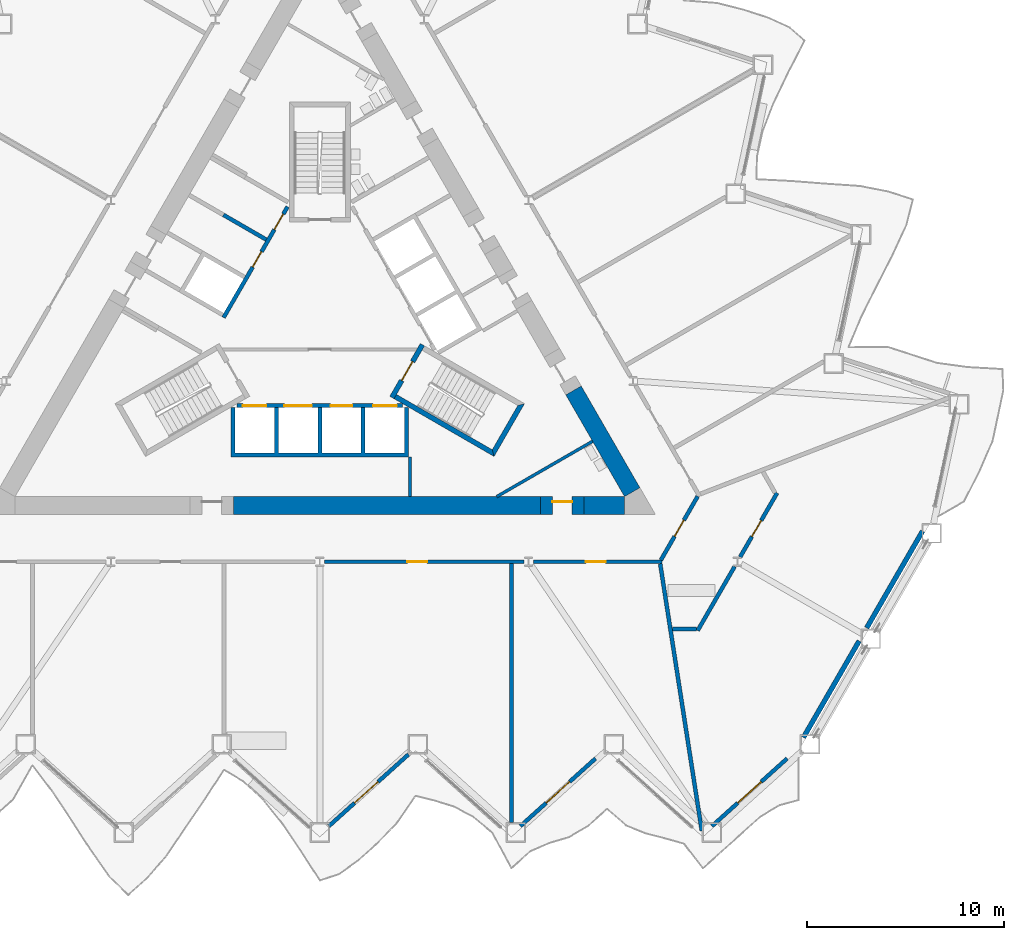
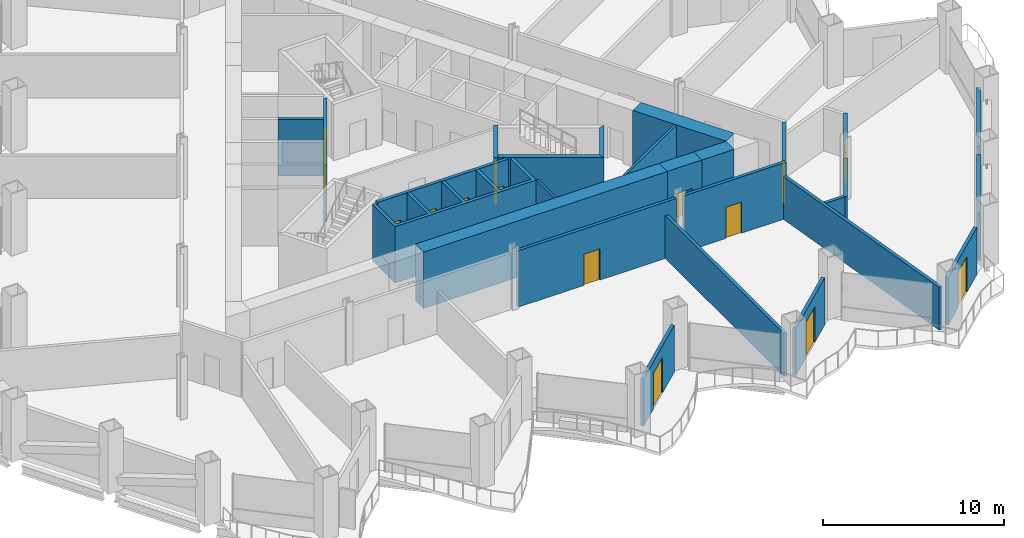
# One storey, part 10 of 21: 26 walls, 15 doors, 15 openings.
"""IFC4 building model written with IfcOpenShell, lengths in metres."""

from ifc_helpers import new_model, si_unit, direction, frame, frame_2d, origin, place, context, subcontext, project, spatial, polyline, rectangle, outline, extrude, material, layer, layer_set, type_object, element, fill, save


model = new_model("IFC4")

# Units and contexts
model_context = context("Model", 3, precision=1e-05, world=origin(), true_north=direction((0.0, 1.0)))
body_context = subcontext(model_context, "Body", "Model", "MODEL_VIEW")
ifc_project = project(units=[si_unit("LENGTHUNIT", "METRE"), si_unit("AREAUNIT", "SQUARE_METRE"), si_unit("VOLUMEUNIT", "CUBIC_METRE"), si_unit("PLANEANGLEUNIT", "RADIAN"), si_unit("MASSUNIT", "GRAM", prefix="KILO")], contexts=[model_context])

# Site, building, storey
site_placement = place(None, origin())
site = spatial("IfcSite", under=ifc_project, at=site_placement, CompositionType="ELEMENT")
building_placement = place(site_placement, origin())
building = spatial("IfcBuilding", under=site, at=building_placement, Name="Cormorant Prow Tower", CompositionType="ELEMENT")
storey_placement = place(building_placement, frame((0.0, 0.0, 46.800048828125)))
storey = spatial("IfcBuildingStorey", under=building, at=storey_placement, Name="L09", CompositionType="ELEMENT", Elevation=46.800048828125)

# Walls
ifc_material_1 = material(Name="Gypsum board partition")
ifc_layer_1 = layer(ifc_material_1, 0.14990234375)
ifc_layer_set_1 = layer_set([ifc_layer_1], Name="Gypsum board partition")
wall_type_1 = type_object("IfcWallType", Name="Core partition 150", PredefinedType="PARTITIONING", material=ifc_layer_set_1)
wall_1_placement = place(storey_placement, frame((4.574951171875, -6.906005859375, 0.0), z_axis=(0.0, 0.0, 1.0), x_axis=(0.0, -1.0, 0.0)))
element("IfcWall", 1, at=wall_1_placement, inside=storey, type_object=wall_type_1, Name="Service room partition", PredefinedType="PARTITIONING", context=body_context, shape_type="SweptSolid", body=[
    extrude(rectangle(XDim=2.009033203125, YDim=0.14990234375, at=frame_2d((1.00439453125, 0.0))), origin(), (0.0, 0.0, 1.0), 3.800048828125),
])
wall_2_placement = place(storey_placement, frame((13.822509765625, -6.111328125, 0.0), z_axis=(0.0, 0.0, 1.0), x_axis=(-0.866026802741, -0.499997576928, 0.0)))
element("IfcWall", 2, at=wall_2_placement, inside=storey, type_object=wall_type_1, Name="Service room partition", PredefinedType="PARTITIONING", context=body_context, shape_type="SweptSolid", body=[
    extrude(rectangle(XDim=5.607421875, YDim=0.14990234375, at=frame_2d((2.8037109375, 0.0))), origin(), (0.0, 0.0, 1.0), 3.800048828125),
])
ifc_material_2 = material(Name="Concrete 8000 psi", Category="concrete")
ifc_layer_2 = layer(ifc_material_2, 0.89990234375)
ifc_layer_set_2 = layer_set([ifc_layer_2], Name="Concrete 8000 psi")
wall_type_2 = type_object("IfcWallType", Name="Core shear wall 900", PredefinedType="SHEAR", material=ifc_layer_set_2)
wall_3_placement = place(storey_placement, frame((-4.37060546875, -9.364990234375, 0.0), z_axis=(0.0, 0.0, 1.0), x_axis=(1.0, 0.0, 0.0)))
element("IfcWall", 3, at=wall_3_placement, inside=storey, type_object=wall_type_2, Name="Core wall", PredefinedType="SHEAR", context=body_context, shape_type="SweptSolid", body=[
    extrude(rectangle(XDim=15.549560546875, YDim=0.89990234375, at=frame_2d((7.77490234375, 0.0))), origin(), (0.0, 0.0, 1.0), 3.800048828125),
])
wall_4_placement = place(storey_placement, frame((13.37890625, -9.364990234375, 0.0), z_axis=(0.0, 0.0, 1.0), x_axis=(1.0, 0.0, 0.0)))
element("IfcWall", 4, at=wall_4_placement, inside=storey, type_object=wall_type_2, Name="Core wall", PredefinedType="SHEAR", context=body_context, shape_type="SweptSolid", body=[
    extrude(rectangle(XDim=2.062255859375, YDim=0.89990234375, at=frame_2d((1.03125, 0.0))), origin(), (0.0, 0.0, 1.0), 3.800048828125),
])
wall_5_placement = place(storey_placement, frame((15.830810546875, -8.68994140625, 0.0), z_axis=(0.0, 0.0, 1.0), x_axis=(-0.499999419053, 0.866025739194, 0.0)))
element("IfcWall", 5, at=wall_5_placement, inside=storey, type_object=wall_type_2, Name="Core wall", PredefinedType="SHEAR", context=body_context, shape_type="SweptSolid", body=[
    extrude(rectangle(XDim=5.95166015625, YDim=0.89990234375, at=frame_2d((2.975830078125, 0.0))), origin(), (0.0, 0.0, 1.0), 3.800048828125),
])

# Wall, opening, door
wall_6_placement = place(storey_placement, frame((11.178955078125, -9.364990234375, 0.0), z_axis=(0.0, 0.0, 1.0), x_axis=(1.0, 0.0, 0.0)))
wall_6 = element("IfcWall", 6, at=wall_6_placement, inside=storey, type_object=wall_type_2, Name="Core wall door panel", PredefinedType="SHEAR", context=body_context, shape_type="SweptSolid", body=[
    extrude(rectangle(XDim=2.199951171875, YDim=0.89990234375, at=frame_2d((1.10009765625, 0.0))), origin(), (0.0, 0.0, 1.0), 3.800048828125),
])
opening_1_placement = place(wall_6_placement, frame((0.60009765625, 0.0, 0.0)))
opening_1 = element("IfcOpeningElement", 7, at=opening_1_placement, cuts=wall_6, Name="Opening L09-C15", PredefinedType="OPENING", context=body_context, shape_type="SweptSolid", body=[
    extrude(rectangle(XDim=1.0, YDim=2.10009765625, at=frame_2d((0.5, 1.050048828125))), frame((0.0, 0.4599609375, 0.0), z_axis=(0.0, -1.0, 0.0), x_axis=(1.0, 0.0, 0.0)), (0.0, 0.0, 1.0), 0.919921875),
])
ifc_material_3 = material(Name="Painted steel", Category="steel")
door_type_1 = type_object("IfcDoorType", Name="Service door 1000x2100", OperationType="NOTDEFINED", PredefinedType="DOOR", material=ifc_material_3)
door_1_placement = place(opening_1_placement, origin())
door_1 = element("IfcDoor", 8, at=door_1_placement, inside=storey, type_object=door_type_1, Name="Core door, Accessible WC L09", OperationType="SINGLE_SWING_RIGHT", OverallHeight=2.10009765625, OverallWidth=1.0, PredefinedType="DOOR", context=body_context, shape_type="SweptSolid", body=[
    extrude(rectangle(XDim=1.0, YDim=2.10009765625, at=frame_2d((0.5, 1.050048828125))), frame((0.0, 0.205078125, 0.0), z_axis=(0.0, -1.0, 0.0), x_axis=(1.0, 0.0, 0.0)), (0.0, 0.0, 1.0), 0.050048828125),
])
fill(opening_1, door_1)

ifc_material_4 = material(Name="Gypsum board corridor wall")
ifc_layer_3 = layer(ifc_material_4, 0.199951171875)
ifc_layer_set_3 = layer_set([ifc_layer_3], Name="Gypsum board corridor wall")
wall_type_3 = type_object("IfcWallType", Name="Corridor wall 200", PredefinedType="PARTITIONING", material=ifc_layer_set_3)
wall_7_placement = place(storey_placement, frame((0.2421875, -12.215087890625, 0.0), z_axis=(0.0, 0.0, 1.0), x_axis=(1.0, 0.0, 0.0)))
wall_7 = element("IfcWall", 9, at=wall_7_placement, inside=storey, type_object=wall_type_3, Name="Corridor wall", PredefinedType="PARTITIONING", context=body_context, shape_type="SweptSolid", body=[
    extrude(rectangle(XDim=10.093994140625, YDim=0.199951171875, at=frame_2d((5.046875, 0.0))), origin(), (0.0, 0.0, 1.0), 3.800048828125),
])
opening_2_placement = place(wall_7_placement, frame((4.193115234375, 0.0, 0.0)))
opening_2 = element("IfcOpeningElement", 10, at=opening_2_placement, cuts=wall_7, Name="Opening L09-F03", PredefinedType="OPENING", context=body_context, shape_type="SweptSolid", body=[
    extrude(rectangle(XDim=1.0, YDim=2.10009765625, at=frame_2d((0.5, 1.050048828125))), frame((0.0, 0.10986328125, 0.0), z_axis=(0.0, -1.0, 0.0), x_axis=(1.0, 0.0, 0.0)), (0.0, 0.0, 1.0), 0.219970703125),
])
ifc_material_5 = material(Name="Timber door leaf", Category="wood")
door_type_2 = type_object("IfcDoorType", Name="Office door 1000x2100", OperationType="NOTDEFINED", PredefinedType="DOOR", material=ifc_material_5)
door_2_placement = place(opening_2_placement, origin())
door_2 = element("IfcDoor", 11, at=door_2_placement, inside=storey, type_object=door_type_2, Name="Tenant reception door", OperationType="SINGLE_SWING_LEFT", OverallHeight=2.10009765625, OverallWidth=1.0, PredefinedType="DOOR", context=body_context, shape_type="SweptSolid", body=[
    extrude(rectangle(XDim=1.0, YDim=2.10009765625, at=frame_2d((0.5, 1.050048828125))), frame((0.0, 0.02490234375, 0.0), z_axis=(0.0, -1.0, 0.0), x_axis=(1.0, 0.0, 0.0)), (0.0, 0.0, 1.0), 0.050048828125),
])
fill(opening_2, door_2)

wall_8_placement = place(storey_placement, frame((10.82080078125, -12.215087890625, 0.0), z_axis=(0.0, 0.0, 1.0), x_axis=(1.0, 0.0, 0.0)))
wall_8 = element("IfcWall", 12, at=wall_8_placement, inside=storey, type_object=wall_type_3, Name="Corridor wall", PredefinedType="PARTITIONING", context=body_context, shape_type="SweptSolid", body=[
    extrude(rectangle(XDim=6.510009765625, YDim=0.199951171875, at=frame_2d((3.2548828125, 0.0))), origin(), (0.0, 0.0, 1.0), 3.800048828125),
])
opening_3_placement = place(wall_8_placement, frame((2.65478515625, 0.0, 0.0)))
opening_3 = element("IfcOpeningElement", 13, at=opening_3_placement, cuts=wall_8, Name="Opening L09-F04", PredefinedType="OPENING", context=body_context, shape_type="SweptSolid", body=[
    extrude(rectangle(XDim=1.0, YDim=2.10009765625, at=frame_2d((0.5, 1.050048828125))), frame((0.0, 0.10986328125, 0.0), z_axis=(0.0, -1.0, 0.0), x_axis=(1.0, 0.0, 0.0)), (0.0, 0.0, 1.0), 0.219970703125),
])
door_3_placement = place(opening_3_placement, origin())
door_3 = element("IfcDoor", 14, at=door_3_placement, inside=storey, type_object=door_type_2, Name="Tenant suite door", OperationType="SINGLE_SWING_RIGHT", OverallHeight=2.10009765625, OverallWidth=1.0, PredefinedType="DOOR", context=body_context, shape_type="SweptSolid", body=[
    extrude(rectangle(XDim=1.0, YDim=2.10009765625, at=frame_2d((0.5, 1.050048828125))), frame((0.0, 0.02490234375, 0.0), z_axis=(0.0, -1.0, 0.0), x_axis=(1.0, 0.0, 0.0)), (0.0, 0.0, 1.0), 0.050048828125),
])
fill(opening_3, door_3)

wall_9_placement = place(storey_placement, frame((17.281005859375, -12.12841796875, 0.0), z_axis=(0.0, 0.0, 1.0), x_axis=(0.499958791762, 0.866049194065, 0.0)))
wall_9 = element("IfcWall", 15, at=wall_9_placement, inside=storey, type_object=wall_type_3, Name="Corridor wall", PredefinedType="PARTITIONING", context=body_context, shape_type="SweptSolid", body=[
    extrude(rectangle(XDim=3.725830078125, YDim=0.199951171875, at=frame_2d((1.86279296875, 0.0))), origin(), (0.0, 0.0, 1.0), 3.800048828125),
])
opening_4_placement = place(wall_9_placement, frame((1.387939453125, 0.0, 0.0)))
opening_4 = element("IfcOpeningElement", 16, at=opening_4_placement, cuts=wall_9, Name="Opening L09-F05", PredefinedType="OPENING", context=body_context, shape_type="SweptSolid", body=[
    extrude(rectangle(XDim=0.949951171875, YDim=2.10009765625, at=frame_2d((0.47509765625, 1.050048828125))), frame((0.0, 0.10986328125, 0.0), z_axis=(0.0, -1.0, 0.0), x_axis=(1.0, 0.0, 0.0)), (0.0, 0.0, 1.0), 0.219970703125),
])
ifc_material_6 = material(Name="Timber door leaf", Category="wood")
door_type_3 = type_object("IfcDoorType", Name="Store door 950x2100", OperationType="NOTDEFINED", PredefinedType="DOOR", material=ifc_material_6)
door_4_placement = place(opening_4_placement, origin())
door_4 = element("IfcDoor", 17, at=door_4_placement, inside=storey, type_object=door_type_3, Name="Tea point and pantry door", OperationType="SINGLE_SWING_RIGHT", OverallHeight=2.10009765625, OverallWidth=0.949951171875, PredefinedType="DOOR", context=body_context, shape_type="SweptSolid", body=[
    extrude(rectangle(XDim=0.949951171875, YDim=2.10009765625, at=frame_2d((0.47509765625, 1.050048828125))), frame((0.0, 0.02490234375, 0.0), z_axis=(0.0, -1.0, 0.0), x_axis=(1.0, 0.0, 0.0)), (0.0, 0.0, 1.0), 0.050048828125),
])
fill(opening_4, door_4)

# Walls
ifc_material_7 = material(Name="Gypsum board demising wall")
ifc_layer_4 = layer(ifc_material_7, 0.199951171875)
ifc_layer_set_4 = layer_set([ifc_layer_4], Name="Gypsum board demising wall")
wall_type_4 = type_object("IfcWallType", Name="Demising wall 200", PredefinedType="PARTITIONING", material=ifc_layer_set_4)
wall_10_placement = place(storey_placement, frame((17.246337890625, -12.313720703125, 0.0), z_axis=(0.0, 0.0, 1.0), x_axis=(0.153927101979, -0.98808220674, 0.0)))
element("IfcWall", 18, at=wall_10_placement, inside=storey, type_object=wall_type_4, Name="Demising wall", PredefinedType="PARTITIONING", context=body_context, shape_type="SweptSolid", body=[
    extrude(rectangle(XDim=13.694091796875, YDim=0.199951171875, at=frame_2d((6.84716796875, 0.0))), origin(), (0.0, 0.0, 1.0), 2.88525390625),
])
wall_11_placement = place(storey_placement, frame((9.705322265625, -25.42138671875, 0.0), z_axis=(0.0, 0.0, 1.0), x_axis=(0.0, 1.0, 0.0)))
element("IfcWall", 19, at=wall_11_placement, inside=storey, type_object=wall_type_4, Name="Demising wall", PredefinedType="PARTITIONING", context=body_context, shape_type="SweptSolid", body=[
    extrude(rectangle(XDim=13.1064453125, YDim=0.199951171875, at=frame_2d((6.55322265625, 0.0))), origin(), (0.0, 0.0, 1.0), 2.88525390625),
])

# Wall, opening, door
wall_12_placement = place(storey_placement, frame((21.296875, -11.97265625, 0.0), z_axis=(0.0, 0.0, 1.0), x_axis=(0.500008291124, 0.866020616849, 0.0)))
wall_12 = element("IfcWall", 20, at=wall_12_placement, inside=storey, type_object=wall_type_4, Name="Demising wall", PredefinedType="PARTITIONING", context=body_context, shape_type="SweptSolid", body=[
    extrude(rectangle(XDim=3.74609375, YDim=0.199951171875, at=frame_2d((1.873046875, 0.0))), origin(), (0.0, 0.0, 1.0), 2.88525390625),
])
opening_5_placement = place(wall_12_placement, frame((1.189453125, 0.0, 0.0)))
opening_5 = element("IfcOpeningElement", 21, at=opening_5_placement, cuts=wall_12, Name="Opening L09-F06", PredefinedType="OPENING", context=body_context, shape_type="SweptSolid", body=[
    extrude(rectangle(XDim=0.949951171875, YDim=2.10009765625, at=frame_2d((0.47509765625, 1.050048828125))), frame((0.0, 0.10986328125, 0.0), z_axis=(0.0, -1.0, 0.0), x_axis=(1.0, 0.0, 0.0)), (0.0, 0.0, 1.0), 0.219970703125),
])
door_5_placement = place(opening_5_placement, origin())
door_5 = element("IfcDoor", 22, at=door_5_placement, inside=storey, type_object=door_type_3, Name="Print and copy room door", OperationType="SINGLE_SWING_RIGHT", OverallHeight=2.10009765625, OverallWidth=0.949951171875, PredefinedType="DOOR", context=body_context, shape_type="SweptSolid", body=[
    extrude(rectangle(XDim=0.949951171875, YDim=2.10009765625, at=frame_2d((0.47509765625, 1.050048828125))), frame((0.0, 0.02490234375, 0.0), z_axis=(0.0, -1.0, 0.0), x_axis=(1.0, 0.0, 0.0)), (0.0, 0.0, 1.0), 0.050048828125),
])
fill(opening_5, door_5)

# Walls
wall_13_placement = place(storey_placement, frame((19.143798828125, -15.70166015625, 0.0), z_axis=(0.0, 0.0, 1.0), x_axis=(0.500028947347, 0.866008690381, 0.0)))
element("IfcWall", 23, at=wall_13_placement, inside=storey, type_object=wall_type_4, Name="Demising wall", PredefinedType="PARTITIONING", context=body_context, shape_type="SweptSolid", body=[
    extrude(rectangle(XDim=3.746337890625, YDim=0.199951171875, at=frame_2d((1.873046875, 0.0))), origin(), (0.0, 0.0, 1.0), 2.88525390625),
])
wall_14_placement = place(storey_placement, frame((17.860595703125, -15.614990234375, 0.0), z_axis=(0.0, 0.0, 1.0), x_axis=(1.0, 0.0, 0.0)))
element("IfcWall", 24, at=wall_14_placement, inside=storey, type_object=wall_type_4, Name="Demising wall", PredefinedType="PARTITIONING", context=body_context, shape_type="SweptSolid", body=[
    extrude(rectangle(XDim=1.2333984375, YDim=0.199951171875, at=frame_2d((0.61669921875, 0.0))), origin(), (0.0, 0.0, 1.0), 2.88525390625),
])

# Wall, openings, doors
ifc_material_8 = material(Name="Concrete 5000 psi", Category="concrete")
ifc_layer_5 = layer(ifc_material_8, 0.199951171875)
ifc_layer_set_5 = layer_set([ifc_layer_5], Name="Concrete 5000 psi")
wall_type_5 = type_object("IfcWallType", Name="Lift lobby wall 200", PredefinedType="SOLIDWALL", material=ifc_layer_set_5)
wall_15_placement = place(storey_placement, frame((-4.1865234375, -4.300048828125, 0.0), z_axis=(0.0, 0.0, 1.0), x_axis=(1.0, 0.0, 0.0)))
wall_15 = element("IfcWall", 25, at=wall_15_placement, inside=storey, type_object=wall_type_5, Name="Lift lobby wall, S block", PredefinedType="SOLIDWALL", context=body_context, shape_type="SweptSolid", body=[
    extrude(rectangle(XDim=8.373046875, YDim=0.199951171875, at=frame_2d((4.1865234375, 0.0))), origin(), (0.0, 0.0, 1.0), 3.800048828125),
])
opening_6_placement = place(wall_15_placement, frame((0.28662109375, 0.0, 0.0)))
opening_6 = element("IfcOpeningElement", 26, at=opening_6_placement, cuts=wall_15, Name="Opening L09-C01", PredefinedType="OPENING", context=body_context, shape_type="SweptSolid", body=[
    extrude(rectangle(XDim=1.199951171875, YDim=2.10009765625, at=frame_2d((0.60009765625, 1.050048828125))), frame((0.0, 0.10986328125, 0.0), z_axis=(0.0, -1.0, 0.0), x_axis=(1.0, 0.0, 0.0)), (0.0, 0.0, 1.0), 0.219970703125),
])
opening_7_placement = place(wall_15_placement, frame((2.38671875, 0.0, 0.0)))
opening_7 = element("IfcOpeningElement", 27, at=opening_7_placement, cuts=wall_15, Name="Opening L09-C02", PredefinedType="OPENING", context=body_context, shape_type="SweptSolid", body=[
    extrude(rectangle(XDim=1.39990234375, YDim=2.10009765625, at=frame_2d((0.699951171875, 1.050048828125))), frame((0.0, 0.10986328125, 0.0), z_axis=(0.0, -1.0, 0.0), x_axis=(1.0, 0.0, 0.0)), (0.0, 0.0, 1.0), 0.219970703125),
])
opening_8_placement = place(wall_15_placement, frame((4.736572265625, 0.0, 0.0)))
opening_8 = element("IfcOpeningElement", 28, at=opening_8_placement, cuts=wall_15, Name="Opening L09-C03", PredefinedType="OPENING", context=body_context, shape_type="SweptSolid", body=[
    extrude(rectangle(XDim=1.10009765625, YDim=2.10009765625, at=frame_2d((0.550048828125, 1.050048828125))), frame((0.0, 0.10986328125, 0.0), z_axis=(0.0, -1.0, 0.0), x_axis=(1.0, 0.0, 0.0)), (0.0, 0.0, 1.0), 0.219970703125),
])
opening_9_placement = place(wall_15_placement, frame((6.88671875, 0.0, 0.0)))
opening_9 = element("IfcOpeningElement", 29, at=opening_9_placement, cuts=wall_15, Name="Opening L09-C04", PredefinedType="OPENING", context=body_context, shape_type="SweptSolid", body=[
    extrude(rectangle(XDim=1.199951171875, YDim=2.10009765625, at=frame_2d((0.60009765625, 1.050048828125))), frame((0.0, 0.10986328125, 0.0), z_axis=(0.0, -1.0, 0.0), x_axis=(1.0, 0.0, 0.0)), (0.0, 0.0, 1.0), 0.219970703125),
])
ifc_material_9 = material(Name="Painted steel", Category="steel")
door_type_4 = type_object("IfcDoorType", Name="Firefighting lift landing door 1200x2100", OperationType="SLIDING_TO_LEFT", PredefinedType="DOOR", material=ifc_material_9)
door_6_placement = place(opening_6_placement, origin())
door_6 = element("IfcDoor", 30, at=door_6_placement, inside=storey, type_object=door_type_4, Name="Landing door FL1", OperationType="SLIDING_TO_LEFT", OverallHeight=2.10009765625, OverallWidth=1.199951171875, PredefinedType="DOOR", context=body_context, shape_type="SweptSolid", body=[
    extrude(rectangle(XDim=1.199951171875, YDim=2.10009765625, at=frame_2d((0.60009765625, 1.050048828125))), frame((0.0, 0.02490234375, 0.0), z_axis=(0.0, -1.0, 0.0), x_axis=(1.0, 0.0, 0.0)), (0.0, 0.0, 1.0), 0.050048828125),
])
fill(opening_6, door_6)
door_7_placement = place(opening_9_placement, origin())
door_7 = element("IfcDoor", 31, at=door_7_placement, inside=storey, type_object=door_type_4, Name="Landing door FL2", OperationType="SLIDING_TO_LEFT", OverallHeight=2.10009765625, OverallWidth=1.199951171875, PredefinedType="DOOR", context=body_context, shape_type="SweptSolid", body=[
    extrude(rectangle(XDim=1.199951171875, YDim=2.10009765625, at=frame_2d((0.60009765625, 1.050048828125))), frame((0.0, 0.02490234375, 0.0), z_axis=(0.0, -1.0, 0.0), x_axis=(1.0, 0.0, 0.0)), (0.0, 0.0, 1.0), 0.050048828125),
])
fill(opening_9, door_7)
ifc_material_10 = material(Name="Painted steel", Category="steel")
door_type_5 = type_object("IfcDoorType", Name="Lift landing door 1100x2100", OperationType="SLIDING_TO_LEFT", PredefinedType="DOOR", material=ifc_material_10)
door_8_placement = place(opening_8_placement, origin())
door_8 = element("IfcDoor", 32, at=door_8_placement, inside=storey, type_object=door_type_5, Name="Landing door LR1", OperationType="SLIDING_TO_LEFT", OverallHeight=2.10009765625, OverallWidth=1.10009765625, PredefinedType="DOOR", context=body_context, shape_type="SweptSolid", body=[
    extrude(rectangle(XDim=1.10009765625, YDim=2.10009765625, at=frame_2d((0.550048828125, 1.050048828125))), frame((0.0, 0.02490234375, 0.0), z_axis=(0.0, -1.0, 0.0), x_axis=(1.0, 0.0, 0.0)), (0.0, 0.0, 1.0), 0.050048828125),
])
fill(opening_8, door_8)
ifc_material_11 = material(Name="Painted steel", Category="steel")
door_type_6 = type_object("IfcDoorType", Name="Service lift landing door 1400x2100", OperationType="SLIDING_TO_LEFT", PredefinedType="DOOR", material=ifc_material_11)
door_9_placement = place(opening_7_placement, origin())
door_9 = element("IfcDoor", 33, at=door_9_placement, inside=storey, type_object=door_type_6, Name="Landing door SL1", OperationType="SLIDING_TO_LEFT", OverallHeight=2.10009765625, OverallWidth=1.39990234375, PredefinedType="DOOR", context=body_context, shape_type="SweptSolid", body=[
    extrude(rectangle(XDim=1.39990234375, YDim=2.10009765625, at=frame_2d((0.699951171875, 1.050048828125))), frame((0.0, 0.02490234375, 0.0), z_axis=(0.0, -1.0, 0.0), x_axis=(1.0, 0.0, 0.0)), (0.0, 0.0, 1.0), 0.050048828125),
])
fill(opening_7, door_9)

wall_16_placement = place(storey_placement, frame((-1.630615234375, 5.775634765625, 0.0), z_axis=(0.0, 0.0, 1.0), x_axis=(-0.499992876559, -0.866029516466, 0.0)))
wall_16 = element("IfcWall", 34, at=wall_16_placement, inside=storey, type_object=wall_type_5, Name="Lift lobby wall, WNW block", PredefinedType="SOLIDWALL", context=body_context, shape_type="SweptSolid", body=[
    extrude(rectangle(XDim=6.486328125, YDim=0.199951171875, at=frame_2d((3.2431640625, 0.0))), origin(), (0.0, 0.0, 1.0), 3.800048828125),
])
opening_10_placement = place(wall_16_placement, frame((0.4365234375, 0.0, 0.0)))
opening_10 = element("IfcOpeningElement", 35, at=opening_10_placement, cuts=wall_16, Name="Opening L09-C09", PredefinedType="OPENING", context=body_context, shape_type="SweptSolid", body=[
    extrude(rectangle(XDim=0.89990234375, YDim=2.10009765625, at=frame_2d((0.449951171875, 1.050048828125))), frame((0.0, 0.10986328125, 0.0), z_axis=(0.0, -1.0, 0.0), x_axis=(1.0, 0.0, 0.0)), (0.0, 0.0, 1.0), 0.219970703125),
])
opening_11_placement = place(wall_16_placement, frame((2.63671875, 0.0, 0.0)))
opening_11 = element("IfcOpeningElement", 36, at=opening_11_placement, cuts=wall_16, Name="Opening L09-C10", PredefinedType="OPENING", context=body_context, shape_type="SweptSolid", body=[
    extrude(rectangle(XDim=0.89990234375, YDim=2.10009765625, at=frame_2d((0.449951171875, 1.050048828125))), frame((0.0, 0.10986328125, 0.0), z_axis=(0.0, -1.0, 0.0), x_axis=(1.0, 0.0, 0.0)), (0.0, 0.0, 1.0), 0.219970703125),
])
ifc_material_12 = material(Name="Painted steel", Category="steel")
door_type_7 = type_object("IfcDoorType", Name="Service door 900x2100", OperationType="NOTDEFINED", PredefinedType="DOOR", material=ifc_material_12)
door_10_placement = place(opening_10_placement, origin())
door_10 = element("IfcDoor", 37, at=door_10_placement, inside=storey, type_object=door_type_7, Name="Service door, Refuse store", OperationType="SINGLE_SWING_LEFT", OverallHeight=2.10009765625, OverallWidth=0.89990234375, PredefinedType="DOOR", context=body_context, shape_type="SweptSolid", body=[
    extrude(rectangle(XDim=0.89990234375, YDim=2.10009765625, at=frame_2d((0.449951171875, 1.050048828125))), frame((0.0, 0.02490234375, 0.0), z_axis=(0.0, -1.0, 0.0), x_axis=(1.0, 0.0, 0.0)), (0.0, 0.0, 1.0), 0.050048828125),
])
fill(opening_10, door_10)
door_11_placement = place(opening_11_placement, origin())
door_11 = element("IfcDoor", 38, at=door_11_placement, inside=storey, type_object=door_type_7, Name="Service door, Pantry store", OperationType="SINGLE_SWING_LEFT", OverallHeight=2.10009765625, OverallWidth=0.89990234375, PredefinedType="DOOR", context=body_context, shape_type="SweptSolid", body=[
    extrude(rectangle(XDim=0.89990234375, YDim=2.10009765625, at=frame_2d((0.449951171875, 1.050048828125))), frame((0.0, 0.02490234375, 0.0), z_axis=(0.0, -1.0, 0.0), x_axis=(1.0, 0.0, 0.0)), (0.0, 0.0, 1.0), 0.050048828125),
])
fill(opening_11, door_11)

# Walls
ifc_material_13 = material(Name="Concrete 8000 psi", Category="concrete")
ifc_layer_6 = layer(ifc_material_13, 0.199951171875)
ifc_layer_set_6 = layer_set([ifc_layer_6], Name="Concrete 8000 psi")
wall_type_6 = type_object("IfcWallType", Name="Lift shaft wall 200", PredefinedType="SHEAR", material=ifc_layer_set_6)
wall_17_placement = place(storey_placement, origin())
element("IfcWall", 39, at=wall_17_placement, inside=storey, type_object=wall_type_6, Name="Lift shaft walls, S block", PredefinedType="SHEAR", context=body_context, shape_type="SweptSolid", body=[
    extrude(outline(polyline([(4.5, -4.39990234375), (4.5, -6.906005859375), (-4.5, -6.906005859375), (-4.5, -4.39990234375), (-4.300048828125, -4.39990234375), (-4.300048828125, -6.699951171875), (-2.300048828125, -6.699951171875), (-2.300048828125, -4.39990234375), (-2.10009765625, -4.39990234375), (-2.10009765625, -6.699951171875), (-0.10009765625, -6.699951171875), (-0.10009765625, -4.39990234375), (0.10009765625, -4.39990234375), (0.10009765625, -6.699951171875), (2.10009765625, -6.699951171875), (2.10009765625, -4.39990234375), (2.300048828125, -4.39990234375), (2.300048828125, -6.699951171875), (4.300048828125, -6.699951171875), (4.300048828125, -4.39990234375), (4.5, -4.39990234375)])), origin(), (0.0, 0.0, 1.0), 3.800048828125),
])
wall_18_placement = place(storey_placement, origin())
element("IfcWall", 40, at=wall_18_placement, inside=storey, type_object=wall_type_6, Name="Lift shaft walls, WNW block", PredefinedType="SHEAR", context=body_context, shape_type="SweptSolid", body=[
    extrude(outline(polyline([(-2.760498046875, 4.018798828125), (-4.930908203125, 5.271728515625), (-4.830810546875, 5.44482421875), (-2.660400390625, 4.19189453125), (-2.760498046875, 4.018798828125)])), origin(), (0.0, 0.0, 1.0), 3.800048828125),
])
ifc_material_14 = material(Name="Concrete 8000 psi", Category="concrete")
ifc_layer_7 = layer(ifc_material_14, 0.25)
ifc_layer_set_7 = layer_set([ifc_layer_7], Name="Concrete 8000 psi")
wall_type_7 = type_object("IfcWallType", Name="Stair wall 250", PredefinedType="SHEAR", material=ifc_layer_set_7)
wall_19_placement = place(storey_placement, origin())
element("IfcWall", 41, at=wall_19_placement, inside=storey, type_object=wall_type_7, Name="Stair ST2 enclosure wall (flank)", PredefinedType="SHEAR", context=body_context, shape_type="SweptSolid", body=[
    extrude(outline(polyline([(3.76318359375, -3.95556640625), (8.82958984375, -6.880615234375), (8.738037109375, -6.5390625), (3.88818359375, -3.739013671875), (3.76318359375, -3.95556640625)])), origin(), (0.0, 0.0, 1.0), 3.800048828125),
])
wall_20_placement = place(storey_placement, origin())
element("IfcWall", 42, at=wall_20_placement, inside=storey, type_object=wall_type_7, Name="Stair ST2 enclosure wall (end)", PredefinedType="SHEAR", context=body_context, shape_type="SweptSolid", body=[
    extrude(outline(polyline([(8.82958984375, -6.880615234375), (10.37353515625, -4.206298828125), (10.031982421875, -4.2978515625), (8.738037109375, -6.5390625), (8.82958984375, -6.880615234375)])), origin(), (0.0, 0.0, 1.0), 3.800048828125),
])

# Wall, opening, door
wall_21_placement = place(storey_placement, frame((3.655029296875, -3.89306640625, 0.0), z_axis=(0.0, 0.0, 1.0), x_axis=(0.499982516597, 0.866035497597, 0.0)))
wall_21 = element("IfcWall", 43, at=wall_21_placement, inside=storey, type_object=wall_type_7, Name="Stair ST2 door wall", PredefinedType="SHEAR", context=body_context, shape_type="SweptSolid", body=[
    extrude(rectangle(XDim=3.087890625, YDim=0.25, at=frame_2d((1.5439453125, 0.0))), origin(), (0.0, 0.0, 1.0), 3.800048828125),
])
opening_12_placement = place(wall_21_placement, frame((0.993896484375, 0.0, 0.0)))
opening_12 = element("IfcOpeningElement", 44, at=opening_12_placement, cuts=wall_21, Name="Opening L09-C13", PredefinedType="OPENING", context=body_context, shape_type="SweptSolid", body=[
    extrude(rectangle(XDim=1.10009765625, YDim=2.10009765625, at=frame_2d((0.550048828125, 1.050048828125))), frame((0.0, 0.135009765625, 0.0), z_axis=(0.0, -1.0, 0.0), x_axis=(1.0, 0.0, 0.0)), (0.0, 0.0, 1.0), 0.27001953125),
])
ifc_material_15 = material(Name="Painted steel", Category="steel")
door_type_8 = type_object("IfcDoorType", Name="Stair door 1100x2100", OperationType="NOTDEFINED", PredefinedType="DOOR", material=ifc_material_15)
door_12_placement = place(opening_12_placement, origin())
door_12 = element("IfcDoor", 45, at=door_12_placement, inside=storey, type_object=door_type_8, Name="Stair ST2 door", OperationType="SINGLE_SWING_RIGHT", OverallHeight=2.10009765625, OverallWidth=1.10009765625, PredefinedType="DOOR", context=body_context, shape_type="SweptSolid", body=[
    extrude(rectangle(XDim=1.10009765625, YDim=2.10009765625, at=frame_2d((0.550048828125, 1.050048828125))), frame((0.0, 0.02490234375, 0.0), z_axis=(0.0, -1.0, 0.0), x_axis=(1.0, 0.0, 0.0)), (0.0, 0.0, 1.0), 0.050048828125),
])
fill(opening_12, door_12)

# Walls
ifc_material_16 = material(Name="Terracotta", Category="masonry")
ifc_layer_8 = layer(ifc_material_16, 0.25)
ifc_layer_set_8 = layer_set([ifc_layer_8], Name="Terracotta")
wall_type_8 = type_object("IfcWallType", Name="Terracotta bay wall 250", PredefinedType="SOLIDWALL", material=ifc_layer_set_8)
wall_22_placement = place(storey_placement, frame((24.506591796875, -21.115966796875, 0.0), z_axis=(0.0, 0.0, 1.0), x_axis=(0.49999579099, 0.866027833844, 0.0)))
element("IfcWall", 46, at=wall_22_placement, inside=storey, type_object=wall_type_8, Name="Terracotta bay wall ESE00", PredefinedType="SOLIDWALL", context=body_context, shape_type="SweptSolid", body=[
    extrude(rectangle(XDim=5.64404296875, YDim=0.25, at=frame_2d((2.822021484375, 0.0))), origin(), (0.0, 0.0, 1.0), 3.18896484375),
])
wall_23_placement = place(storey_placement, frame((27.71044921875, -15.56689453125, 0.0), z_axis=(0.0, 0.0, 1.0), x_axis=(0.499985074313, 0.866034020963, 0.0)))
element("IfcWall", 47, at=wall_23_placement, inside=storey, type_object=wall_type_8, Name="Terracotta bay wall ESE01", PredefinedType="SOLIDWALL", context=body_context, shape_type="SweptSolid", body=[
    extrude(rectangle(XDim=5.659912109375, YDim=0.25, at=frame_2d((2.830078125, 0.0))), origin(), (0.0, 0.0, 1.0), 3.18896484375),
])

# Wall, opening, door
ifc_material_17 = material(Name="Terracotta", Category="masonry")
ifc_layer_9 = layer(ifc_material_17, 0.199951171875)
ifc_layer_set_9 = layer_set([ifc_layer_9], Name="Terracotta")
wall_type_9 = type_object("IfcWallType", Name="Terracotta jamb wall 200", PredefinedType="SOLIDWALL", material=ifc_layer_set_9)
wall_24_placement = place(storey_placement, frame((0.45556640625, -25.61181640625, 0.0), z_axis=(0.0, 0.0, 1.0), x_axis=(0.743166762424, 0.669106242108, 0.0)))
wall_24 = element("IfcWall", 48, at=wall_24_placement, inside=storey, type_object=wall_type_9, Name="Terracotta jamb wall S05", PredefinedType="SOLIDWALL", context=body_context, shape_type="SweptSolid", body=[
    extrude(rectangle(XDim=5.4326171875, YDim=0.199951171875, at=frame_2d((2.71630859375, 0.0))), origin(), (0.0, 0.0, 1.0), 3.18896484375),
])
opening_13_placement = place(wall_24_placement, frame((1.761962890625, 0.0, 0.0)))
opening_13 = element("IfcOpeningElement", 49, at=opening_13_placement, cuts=wall_24, Name="Opening ED09.03", PredefinedType="OPENING", context=body_context, shape_type="SweptSolid", body=[
    extrude(rectangle(XDim=1.60009765625, YDim=2.39990234375, at=frame_2d((0.800048828125, 1.199951171875))), frame((0.0, 0.10986328125, 0.0), z_axis=(0.0, -1.0, 0.0), x_axis=(1.0, 0.0, 0.0)), (0.0, 0.0, 1.0), 0.219970703125),
])
ifc_material_18 = material(Name="Aluminium 6063-T6", Category="aluminium")
door_type_9 = type_object("IfcDoorType", Name="Balcony door 1600x2400", OperationType="DOUBLE_DOOR_SINGLE_SWING", PredefinedType="DOOR", material=ifc_material_18)
door_13_placement = place(opening_13_placement, origin())
door_13 = element("IfcDoor", 50, at=door_13_placement, inside=storey, type_object=door_type_9, Name="Balcony door S05 ED09.03", OperationType="DOUBLE_DOOR_SINGLE_SWING", OverallHeight=2.39990234375, OverallWidth=1.60009765625, PredefinedType="DOOR", context=body_context, shape_type="SweptSolid", body=[
    extrude(rectangle(XDim=1.60009765625, YDim=2.39990234375, at=frame_2d((0.800048828125, 1.199951171875))), frame((0.0, 0.02490234375, 0.0), z_axis=(0.0, -1.0, 0.0), x_axis=(1.0, 0.0, 0.0)), (0.0, 0.0, 1.0), 0.050048828125),
])
fill(opening_13, door_13)

wall_25_placement = place(storey_placement, frame((10.160888671875, -25.61181640625, 0.0), z_axis=(0.0, 0.0, 1.0), x_axis=(0.743159085791, 0.669114768337, 0.0)))
wall_25 = element("IfcWall", 51, at=wall_25_placement, inside=storey, type_object=wall_type_9, Name="Terracotta jamb wall S07", PredefinedType="SOLIDWALL", context=body_context, shape_type="SweptSolid", body=[
    extrude(rectangle(XDim=5.123779296875, YDim=0.199951171875, at=frame_2d((2.56201171875, 0.0))), origin(), (0.0, 0.0, 1.0), 3.18896484375),
])
opening_14_placement = place(wall_25_placement, frame((1.761962890625, 0.0, 0.0)))
opening_14 = element("IfcOpeningElement", 52, at=opening_14_placement, cuts=wall_25, Name="Opening ED09.04", PredefinedType="OPENING", context=body_context, shape_type="SweptSolid", body=[
    extrude(rectangle(XDim=1.60009765625, YDim=2.39990234375, at=frame_2d((0.800048828125, 1.199951171875))), frame((0.0, 0.10986328125, 0.0), z_axis=(0.0, -1.0, 0.0), x_axis=(1.0, 0.0, 0.0)), (0.0, 0.0, 1.0), 0.219970703125),
])
door_14_placement = place(opening_14_placement, origin())
door_14 = element("IfcDoor", 53, at=door_14_placement, inside=storey, type_object=door_type_9, Name="Balcony door S07 ED09.04", OperationType="DOUBLE_DOOR_SINGLE_SWING", OverallHeight=2.39990234375, OverallWidth=1.60009765625, PredefinedType="DOOR", context=body_context, shape_type="SweptSolid", body=[
    extrude(rectangle(XDim=1.60009765625, YDim=2.39990234375, at=frame_2d((0.800048828125, 1.199951171875))), frame((0.0, 0.02490234375, 0.0), z_axis=(0.0, -1.0, 0.0), x_axis=(1.0, 0.0, 0.0)), (0.0, 0.0, 1.0), 0.050048828125),
])
fill(opening_14, door_14)

wall_26_placement = place(storey_placement, frame((19.8662109375, -25.61181640625, 0.0), z_axis=(0.0, 0.0, 1.0), x_axis=(0.743159085791, 0.669114768337, 0.0)))
wall_26 = element("IfcWall", 54, at=wall_26_placement, inside=storey, type_object=wall_type_9, Name="Terracotta jamb wall S09", PredefinedType="SOLIDWALL", context=body_context, shape_type="SweptSolid", body=[
    extrude(rectangle(XDim=5.123779296875, YDim=0.199951171875, at=frame_2d((2.56201171875, 0.0))), origin(), (0.0, 0.0, 1.0), 3.18896484375),
])
opening_15_placement = place(wall_26_placement, frame((1.761962890625, 0.0, 0.0)))
opening_15 = element("IfcOpeningElement", 55, at=opening_15_placement, cuts=wall_26, Name="Opening ED09.05", PredefinedType="OPENING", context=body_context, shape_type="SweptSolid", body=[
    extrude(rectangle(XDim=1.60009765625, YDim=2.39990234375, at=frame_2d((0.800048828125, 1.199951171875))), frame((0.0, 0.10986328125, 0.0), z_axis=(0.0, -1.0, 0.0), x_axis=(1.0, 0.0, 0.0)), (0.0, 0.0, 1.0), 0.219970703125),
])
door_15_placement = place(opening_15_placement, origin())
door_15 = element("IfcDoor", 56, at=door_15_placement, inside=storey, type_object=door_type_9, Name="Balcony door S09 ED09.05", OperationType="DOUBLE_DOOR_SINGLE_SWING", OverallHeight=2.39990234375, OverallWidth=1.60009765625, PredefinedType="DOOR", context=body_context, shape_type="SweptSolid", body=[
    extrude(rectangle(XDim=1.60009765625, YDim=2.39990234375, at=frame_2d((0.800048828125, 1.199951171875))), frame((0.0, 0.02490234375, 0.0), z_axis=(0.0, -1.0, 0.0), x_axis=(1.0, 0.0, 0.0)), (0.0, 0.0, 1.0), 0.050048828125),
])
fill(opening_15, door_15)

save(model, "model.ifc")
